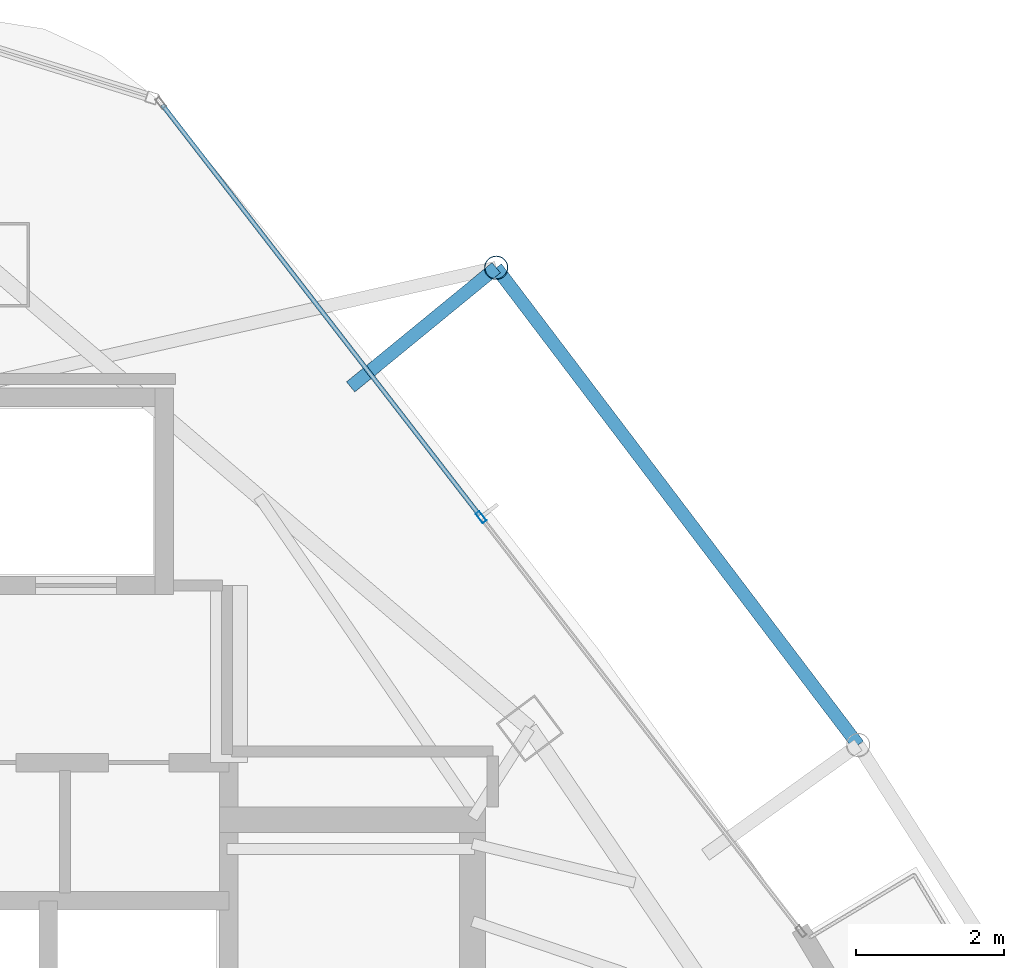
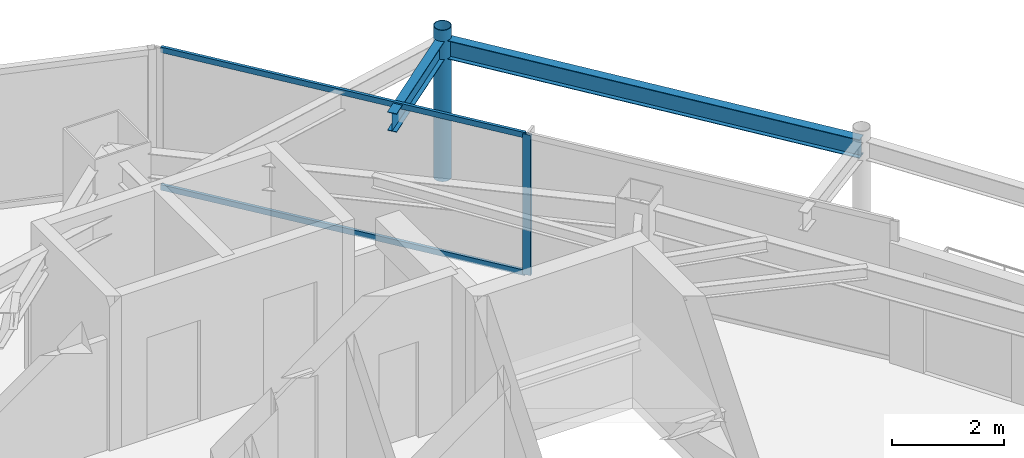
# One storey, part 22 of 28: 4 members, 2 beams, 1 element without a shape of its own.
"""IFC4 building model written with IfcOpenShell, lengths in metres."""

from ifc_helpers import new_model, si_unit, direction, frame, origin, origin_2d, place, context, subcontext, project, spatial, hollow_rectangle, hollow_circle, i_section, extrude, material, layer, layer_set, material_profile, profile_set, type_object, element, aggregate, save


model = new_model("IFC4")

# Units and contexts
model_context = context("Model", 3, precision=1e-05, world=origin(), true_north=direction((0.0, 1.0)))
body_context = subcontext(model_context, "Body", "Model", "MODEL_VIEW")
ifc_project = project(units=[si_unit("LENGTHUNIT", "METRE"), si_unit("AREAUNIT", "SQUARE_METRE"), si_unit("VOLUMEUNIT", "CUBIC_METRE"), si_unit("PLANEANGLEUNIT", "RADIAN"), si_unit("MASSUNIT", "GRAM", prefix="KILO")], contexts=[model_context])

# Site, building, storey
site_placement = place(None, origin())
site = spatial("IfcSite", under=ifc_project, at=site_placement, CompositionType="ELEMENT")
building_placement = place(site_placement, origin())
building = spatial("IfcBuilding", under=site, at=building_placement, Name="Orvanel Arch Residences", CompositionType="ELEMENT")
storey_placement = place(building_placement, frame((0.0, 0.0, 263.449951171875)))
storey = spatial("IfcBuildingStorey", under=building, at=storey_placement, Name="L75", CompositionType="ELEMENT", Elevation=263.449951171875)

# Curtain wall, member
ifc_material_1 = material(Name="Bronze-anodised aluminium AA6063-T6", Category="aluminium")
ifc_layer = layer(ifc_material_1, 0.175048828125)
ifc_layer_set = layer_set([ifc_layer], Name="Bronze-anodised aluminium AA6063-T6")
curtain_wall_type = type_object("IfcCurtainWallType", Name="CW4-HI-SYS", PredefinedType="NOTDEFINED", material=ifc_layer_set)
curtain_wall_placement = place(storey_placement, origin())
curtain_wall = element("IfcCurtainWall", 1, at=curtain_wall_placement, inside=storey, type_object=curtain_wall_type, Name="L75 CW4-HI-SYS Unitised Curtain Wall", PredefinedType="NOTDEFINED")
ifc_material_profile_1 = material_profile(ifc_material_1, hollow_rectangle(XDim=0.06494140625, YDim=0.159912109375, WallThickness=0.00390625, at=origin_2d()), Name="ALU160x65x4")
ifc_profile_set_1 = profile_set([ifc_material_profile_1], Name="Bronze-anodised aluminium AA6063-T6")
member_type_1 = type_object("IfcMemberType", Name="MUL-160x65", PredefinedType="MULLION", material=ifc_profile_set_1)
member_1_placement = place(storey_placement, frame((39.69091796875, 37.97607421875, 0.0), z_axis=(0.0, 0.0, 1.0), x_axis=(-0.791176992709, -0.611587251509, 0.0)))
member_1 = element("IfcMember", 2, at=member_1_placement, type_object=member_type_1, Name="CW-S4 mullion 2", PredefinedType="MULLION", context=body_context, shape_type="SweptSolid", body=[
    extrude(hollow_rectangle(XDim=0.06494140625, YDim=0.159912109375, WallThickness=0.00390625, at=origin_2d()), origin(), (0.0, 0.0, 1.0), 3.06005859375),
])

# Beams
ifc_material_2 = material(Name="Structural steel AS/NZS 3679.1 Grade 300 (300 MPa)", Category="steel")
ifc_material_profile_2 = material_profile(ifc_material_2, i_section(OverallWidth=0.177978515625, OverallDepth=0.406005859375, WebThickness=0.0078125, FlangeThickness=0.0126953125, at=origin_2d()), Name="410UB59.7")
ifc_profile_set_2 = profile_set([ifc_material_profile_2], Name="Structural steel AS/NZS 3679.1 Grade 300 (300 MPa)")
beam_type = type_object("IfcBeamType", Name="OB-410UB-EXT", PredefinedType="SPANDREL", material=ifc_profile_set_2)
beam_1_placement = place(storey_placement, frame((44.802978515625, 34.887939453125, 2.85693359375), z_axis=(-0.604268666107, 0.796780634279, 0.0), x_axis=(-0.796780634279, -0.604268666107, 0.0)))
element("IfcBeam", 3, at=beam_1_placement, inside=storey, type_object=beam_type, Name="L75 Outer Perimeter Floor Ring Beam 11", PredefinedType="SPANDREL", context=body_context, shape_type="SweptSolid", body=[
    extrude(i_section(OverallWidth=0.177978515625, OverallDepth=0.406005859375, WebThickness=0.0078125, FlangeThickness=0.0126953125, at=origin_2d()), origin(), (0.0, 0.0, 1.0), 8.118896484375),
])
beam_2_placement = place(storey_placement, frame((37.924072265625, 39.740966796875, 2.85693359375), z_axis=(0.773615961366, 0.633654751675, 0.0), x_axis=(-0.633654751675, 0.773615961366, 0.0)))
element("IfcBeam", 4, at=beam_2_placement, inside=storey, type_object=beam_type, Name="L75 Outer Frame Radial Tie Beam 12", PredefinedType="SPANDREL", context=body_context, shape_type="SweptSolid", body=[
    extrude(i_section(OverallWidth=0.177978515625, OverallDepth=0.406005859375, WebThickness=0.0078125, FlangeThickness=0.0126953125, at=origin_2d()), origin(), (0.0, 0.0, 1.0), 2.55029296875),
])

# Member
ifc_material_3 = material(Name="Structural steel AS/NZS 1163 C350L0 (Grade 350)", Category="steel")
ifc_material_profile_3 = material_profile(ifc_material_3, hollow_circle(Radius=0.162109375, WallThickness=0.0126953125, at=origin_2d()), Name="CHS324x12.7")
ifc_profile_set_3 = profile_set([ifc_material_profile_3], Name="Structural steel AS/NZS 1163 C350L0 (Grade 350)")
member_type_2 = type_object("IfcMemberType", Name="ST-324CHS-EXT", PredefinedType="STRUT", material=ifc_profile_set_3)
member_2_placement = place(storey_placement, frame((39.89697265625, 41.35693359375, 0.0), z_axis=(0.0, 0.0, 1.0), x_axis=(1.0, 0.0, 0.0)))
element("IfcMember", 5, at=member_2_placement, inside=storey, type_object=member_type_2, Name="L75 Outer Perimeter Frame Post 12", PredefinedType="STRUT", context=body_context, shape_type="SweptSolid", body=[
    extrude(hollow_circle(Radius=0.162109375, WallThickness=0.0126953125, at=origin_2d()), origin(), (0.0, 0.0, 1.0), 3.300048828125),
])

ifc_material_profile_4 = material_profile(ifc_material_1, hollow_rectangle(XDim=0.06005859375, YDim=0.1201171875, WallThickness=0.00341796875, at=origin_2d()), Name="ALU120x60x3.5")
ifc_profile_set_4 = profile_set([ifc_material_profile_4], Name="Bronze-anodised aluminium AA6063-T6")
member_type_3 = type_object("IfcMemberType", Name="TRN-120x60", PredefinedType="USERDEFINED", material=ifc_profile_set_4)
member_3_placement = place(storey_placement, frame((39.671142578125, 38.001708984375, 0.030029296875), z_axis=(-0.611588835985, 0.791175767892, 0.0), x_axis=(-0.791175767892, -0.611588835985, 0.0)))
member_3 = element("IfcMember", 6, at=member_3_placement, type_object=member_type_3, Name="CW-S4 transom 2.1", ObjectType="TRANSOM", PredefinedType="USERDEFINED", context=body_context, shape_type="SweptSolid", body=[
    extrude(hollow_rectangle(XDim=0.06005859375, YDim=0.1201171875, WallThickness=0.00341796875, at=origin_2d()), origin(), (0.0, 0.0, 1.0), 7.02978515625),
])

member_4_placement = place(storey_placement, frame((39.671142578125, 38.001708984375, 3.030029296875), z_axis=(-0.611588835985, 0.791175767892, 0.0), x_axis=(-0.791175767892, -0.611588835985, 0.0)))
member_4 = element("IfcMember", 7, at=member_4_placement, type_object=member_type_3, Name="CW-S4 transom 2.2", ObjectType="TRANSOM", PredefinedType="USERDEFINED", context=body_context, shape_type="SweptSolid", body=[
    extrude(hollow_rectangle(XDim=0.06005859375, YDim=0.1201171875, WallThickness=0.00341796875, at=origin_2d()), origin(), (0.0, 0.0, 1.0), 7.02978515625),
])

aggregate(curtain_wall, [member_1, member_3, member_4])

save(model, "model.ifc")
